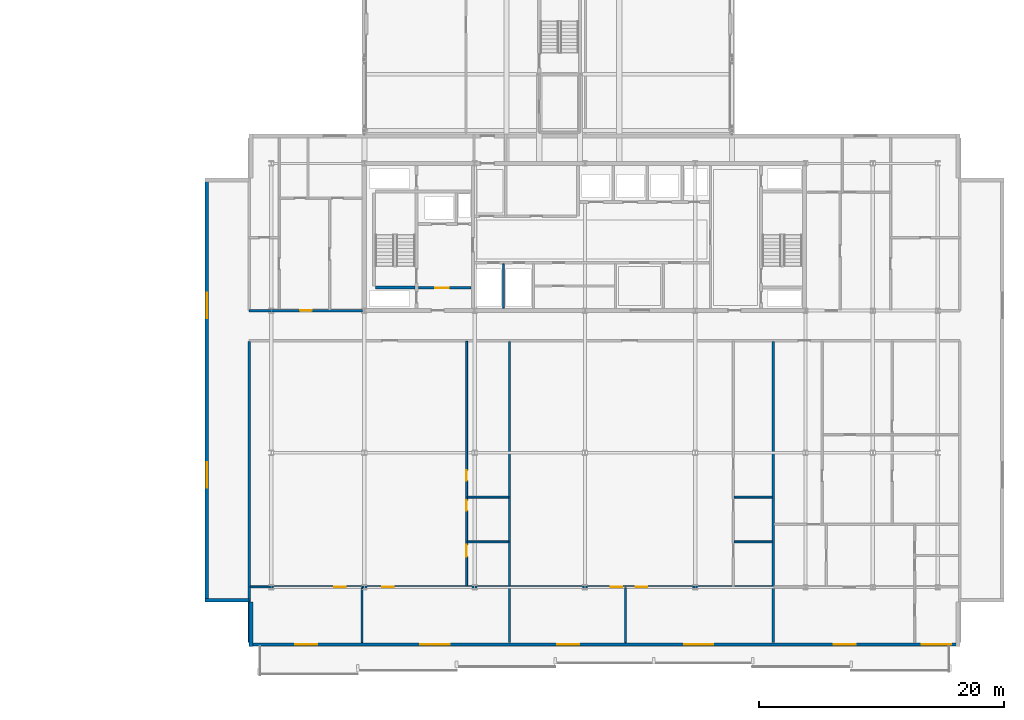
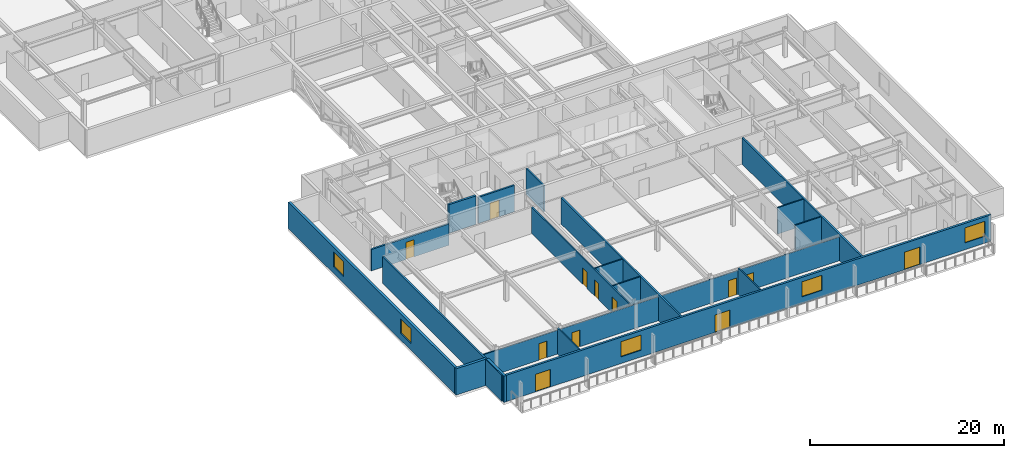
# One storey, part 17 of 35: 20 walls, 12 doors, 5 windows, 17 openings.
"""IFC4 building model written with IfcOpenShell, lengths in metres."""

import ifcopenshell
import ifcopenshell.guid

model = None  # the IFC model being written
_history = None  # IfcOwnerHistory: only IFC2X3 demands one
_inside = {}  # id of a spatial element -> (the spatial element, [elements in it])
_under = {}  # id of a project, library or spatial element -> (it, [spatial elements below it])
_declared = {}  # id of a project -> (the project, [libraries it declares])
_typed = {}  # id of a type object -> (the type object, [elements of that type])
_made_of = {}  # id of a material, layer set ... -> (it, [elements and type objects made of it])


def new_model(schema):
    """Start an empty IFC model of exactly this schema.

    Asked for "IFC4X3", IfcOpenShell would pick the latest addendum, in which some entities
    have other attributes; the version numbers below select the first issue.
    IFC2X3 requires an IfcOwnerHistory on every rooted entity: one is made here for all.
    """
    global model, _history
    if schema == "IFC4X3":
        model = ifcopenshell.file(schema_version=(4, 3, 0, 0))
    else:
        model = ifcopenshell.file(schema=schema)
    _inside.clear()
    _under.clear()
    _declared.clear()
    _typed.clear()
    _made_of.clear()
    _history = None
    if model.schema == "IFC2X3":
        org = make("IfcOrganization", Name="unknown")
        user = make(
            "IfcPersonAndOrganization",
            ThePerson=make("IfcPerson", FamilyName="unknown"),
            TheOrganization=org,
        )
        app = make(
            "IfcApplication",
            ApplicationDeveloper=org,
            Version="unknown",
            ApplicationFullName="unknown",
            ApplicationIdentifier="unknown",
        )
        _history = make(
            "IfcOwnerHistory",
            OwningUser=user,
            OwningApplication=app,
            ChangeAction="ADDED",
            CreationDate=0,
        )
    return model


def make(cls, **values):
    """One entity of the class cls with the attributes given. An attribute that is None is left unset."""
    return model.create_entity(
        cls, **{name: value for name, value in values.items() if value is not None}
    )


def rooted(cls, **values):
    """An entity with a GlobalId (a new one), such as an element, a storey or a relation."""
    return make(cls, GlobalId=ifcopenshell.guid.new(), OwnerHistory=_history, **values)


def si_unit(unit_type, name, prefix=None):
    """IfcSIUnit, for example si_unit("LENGTHUNIT", "METRE", prefix="MILLI")."""
    return make("IfcSIUnit", UnitType=unit_type, Prefix=prefix, Name=name)


def assignment(units):
    """IfcUnitAssignment: the units of a project."""
    return None if units is None else make("IfcUnitAssignment", Units=units)


def point(xyz):
    """IfcCartesianPoint."""
    return None if xyz is None else make("IfcCartesianPoint", Coordinates=xyz)


def direction(xyz):
    """IfcDirection."""
    return None if xyz is None else make("IfcDirection", DirectionRatios=xyz)


def frame(location, z_axis=None, x_axis=None):
    """IfcAxis2Placement3D, a coordinate frame: its origin and axes. An axis left out is left unset."""
    return make(
        "IfcAxis2Placement3D",
        Location=point(location),
        Axis=direction(z_axis),
        RefDirection=direction(x_axis),
    )


def frame_2d(location, x_axis=None):
    """IfcAxis2Placement2D, a coordinate frame in the plane: its origin and x axis."""
    return make(
        "IfcAxis2Placement2D", Location=point(location), RefDirection=direction(x_axis)
    )


def origin():
    """The frame at (0, 0, 0) with its axes left unset."""
    return frame((0.0, 0.0, 0.0))


def place(relative_to, where):
    """IfcLocalPlacement: puts the frame where relative to a parent placement (None: the world)."""
    return make(
        "IfcLocalPlacement", PlacementRelTo=relative_to, RelativePlacement=where
    )


def context(
    kind, dimensions, precision=None, world=None, true_north=None, identifier=None
):
    """IfcGeometricRepresentationContext, for example the 3D "Model" context."""
    return make(
        "IfcGeometricRepresentationContext",
        ContextIdentifier=identifier,
        ContextType=kind,
        CoordinateSpaceDimension=dimensions,
        Precision=precision,
        WorldCoordinateSystem=world,
        TrueNorth=true_north,
    )


def subcontext(parent, identifier, kind, view, scale=None):
    """IfcGeometricRepresentationSubContext, for example "Body" below "Model"."""
    return make(
        "IfcGeometricRepresentationSubContext",
        ContextIdentifier=identifier,
        ContextType=kind,
        ParentContext=parent,
        TargetScale=scale,
        TargetView=view,
    )


def project(units=None, contexts=None):
    """IfcProject with its units and contexts."""
    return rooted(
        "IfcProject",
        Name="project",
        RepresentationContexts=contexts,
        UnitsInContext=assignment(units),
    )


def spatial(cls, under=None, at=None, **own):
    """A site, building, storey or space (cls), placed at a placement, below another one or the project."""
    s = rooted(cls, ObjectPlacement=at, **own)
    if under is not None:
        _under.setdefault(under.id(), (under, []))[1].append(s)
    return s


def profile(cls, at=None, kind="AREA", **sizes):
    """A parametric profile (cls). Its sizes go by their IFC names, for example OverallWidth=200.0."""
    return make(cls, ProfileType=kind, Position=at, **sizes)


def rectangle(**sizes):
    """IfcRectangleProfileDef."""
    return profile("IfcRectangleProfileDef", **sizes)


def extrude(swept, where, along, depth):
    """IfcExtrudedAreaSolid: the profile swept, set in the frame where, extruded along a direction by depth."""
    return make(
        "IfcExtrudedAreaSolid",
        SweptArea=swept,
        Position=where,
        ExtrudedDirection=direction(along),
        Depth=depth,
    )


def shape(context_of_items, identifier, shape_type, items):
    """IfcShapeRepresentation: the items that make up one representation, for example the "Body"."""
    return make(
        "IfcShapeRepresentation",
        ContextOfItems=context_of_items,
        RepresentationIdentifier=identifier,
        RepresentationType=shape_type,
        Items=items,
    )


def material(Name=None, Category=None):
    """IfcMaterial."""
    return make("IfcMaterial", Name=Name, Category=Category)


def layer(
    of_material, thickness, ventilated=None, Name=None, Category=None, Priority=None
):
    """IfcMaterialLayer: one layer of a wall or slab, of a material (None: an air gap)."""
    return make(
        "IfcMaterialLayer",
        Material=of_material,
        LayerThickness=thickness,
        IsVentilated=ventilated,
        Name=Name,
        Category=Category,
        Priority=Priority,
    )


def layer_set(layers, Name=None):
    """IfcMaterialLayerSet."""
    return make("IfcMaterialLayerSet", MaterialLayers=layers, LayerSetName=Name)


def made_of(thing, what):
    """Note that an element or type object is made of a material, layer set ...; save() writes the relation."""
    if what is not None:
        _made_of.setdefault(what.id(), (what, []))[1].append(thing)
    return thing


def type_object(cls, material=None, **own):
    """A type object (cls), such as IfcWallType, which elements share."""
    return made_of(rooted(cls, **own), material)


def element(
    cls,
    number,
    at=None,
    inside=None,
    cuts=None,
    type_object=None,
    material=None,
    context=None,
    identifier="Body",
    shape_type=None,
    held_by="IfcProductDefinitionShape",
    body=None,
    shapes=None,
    **own,
):
    """One element of the class cls, such as IfcWall. Its Tag is "e" and its number.

    at: its placement. inside: the storey or other place that contains it. cuts: it is an
    opening in that element (IfcRelVoidsElement). A single representation is given by context,
    identifier, shape_type and body (its items); several are given by shapes. held_by: the class
    of the entity that holds the representations. save() writes the other relations.
    """
    e = rooted(cls, Tag="e%d" % number, ObjectPlacement=at, **own)
    if body is not None:
        shapes = [shape(context, identifier, shape_type, body)]
    if shapes is not None:
        e.Representation = make(held_by, Representations=shapes)
    if inside is not None:
        _inside.setdefault(inside.id(), (inside, []))[1].append(e)
    if cuts is not None:
        rooted(
            "IfcRelVoidsElement", RelatingBuildingElement=cuts, RelatedOpeningElement=e
        )
    if type_object is not None:
        _typed.setdefault(type_object.id(), (type_object, []))[1].append(e)
    return made_of(e, material)


def fill(opening, filler):
    """IfcRelFillsElement: the door or window that sits in an opening."""
    return rooted(
        "IfcRelFillsElement",
        RelatingOpeningElement=opening,
        RelatedBuildingElement=filler,
    )


def aggregate(whole, parts):
    """IfcRelAggregates: a whole, such as a stair, and the parts it consists of."""
    return rooted("IfcRelAggregates", RelatingObject=whole, RelatedObjects=parts)


def save(model, path):
    """Write the relations noted so far, then the file.

    IfcRelAggregates (storeys below a building ...), IfcRelContainedInSpatialStructure (elements
    in a storey), IfcRelDefinesByType, IfcRelAssociatesMaterial and IfcRelDeclares: one each for
    every whole, place, type object, material and project.
    """
    for whole, parts in _under.values():
        aggregate(whole, parts)
    for where, things in _inside.values():
        rooted(
            "IfcRelContainedInSpatialStructure",
            RelatedElements=things,
            RelatingStructure=where,
        )
    for kind, things in _typed.values():
        rooted("IfcRelDefinesByType", RelatedObjects=things, RelatingType=kind)
    for what, things in _made_of.values():
        rooted("IfcRelAssociatesMaterial", RelatedObjects=things, RelatingMaterial=what)
    for by, libraries in _declared.values():
        rooted("IfcRelDeclares", RelatingContext=by, RelatedDefinitions=libraries)
    model.write(path)


model = new_model("IFC4")

# Units and contexts
model_context = context("Model", 3, precision=1e-05, world=origin(), true_north=direction((0.0, 1.0)))
body_context = subcontext(model_context, "Body", "Model", "MODEL_VIEW")
ifc_project = project(units=[si_unit("LENGTHUNIT", "METRE"), si_unit("AREAUNIT", "SQUARE_METRE"), si_unit("VOLUMEUNIT", "CUBIC_METRE"), si_unit("PLANEANGLEUNIT", "RADIAN"), si_unit("MASSUNIT", "GRAM", prefix="KILO")], contexts=[model_context])

# Site, building, storey
site_placement = place(None, origin())
site = spatial("IfcSite", under=ifc_project, at=site_placement, CompositionType="ELEMENT")
building_placement = place(site_placement, origin())
building = spatial("IfcBuilding", under=site, at=building_placement, Name="Korimba Cascade Residences", CompositionType="ELEMENT")
storey_placement = place(building_placement, frame((0.0, 0.0, 150.10009765625)))
storey = spatial("IfcBuildingStorey", under=building, at=storey_placement, Name="L43", CompositionType="ELEMENT", Elevation=150.10009765625)

# Wall, openings, doors, windows
ifc_material_1 = material(Name="Precast concrete C40/50", Category="concrete")
ifc_layer_1 = layer(ifc_material_1, 0.25)
ifc_layer_set_1 = layer_set([ifc_layer_1], Name="Precast concrete C40/50")
wall_type_1 = type_object("IfcWallType", Name="EW-LOG-250", PredefinedType="STANDARD", material=ifc_layer_set_1)
wall_1_placement = place(storey_placement, frame((72.699951171875, -8.85009765625, 0.0), z_axis=(0.0, 0.0, 1.0), x_axis=(1.0, 0.0, 0.0)))
wall_1 = element("IfcWall", 1, at=wall_1_placement, inside=storey, type_object=wall_type_1, Name="L43 T2 Perimeter Stone Wall E00", PredefinedType="STANDARD", context=body_context, shape_type="SweptSolid", body=[
    extrude(rectangle(XDim=58.0, YDim=0.25, at=frame_2d((29.0, 0.0))), origin(), (0.0, 0.0, 1.0), 3.309814453125),
])
opening_1_placement = place(wall_1_placement, frame((3.76123046875, 0.0, 0.0)))
opening_1 = element("IfcOpeningElement", 2, at=opening_1_placement, cuts=wall_1, Name="Opening D-LG1", PredefinedType="OPENING", context=body_context, shape_type="SweptSolid", body=[
    extrude(rectangle(XDim=1.800048828125, YDim=2.199951171875, at=frame_2d((0.89990234375, 1.10009765625))), frame((0.0, 0.135009765625, 0.0), z_axis=(0.0, -1.0, 0.0), x_axis=(1.0, 0.0, 0.0)), (0.0, 0.0, 1.0), 0.27001953125),
])
opening_2_placement = place(wall_1_placement, frame((13.964111328125, 0.0, 0.85009765625)))
opening_2 = element("IfcOpeningElement", 3, at=opening_2_placement, cuts=wall_1, Name="Opening W-01", PredefinedType="OPENING", context=body_context, shape_type="SweptSolid", body=[
    extrude(rectangle(XDim=2.39990234375, YDim=1.89990234375, at=frame_2d((1.199951171875, 0.949951171875))), frame((0.0, 0.135009765625, 0.0), z_axis=(0.0, -1.0, 0.0), x_axis=(1.0, 0.0, 0.0)), (0.0, 0.0, 1.0), 0.27001953125),
])
opening_3_placement = place(wall_1_placement, frame((25.13818359375, 0.0, 0.0)))
opening_3 = element("IfcOpeningElement", 4, at=opening_3_placement, cuts=wall_1, Name="Opening D-LG1", PredefinedType="OPENING", context=body_context, shape_type="SweptSolid", body=[
    extrude(rectangle(XDim=1.800048828125, YDim=2.199951171875, at=frame_2d((0.89990234375, 1.10009765625))), frame((0.0, 0.135009765625, 0.0), z_axis=(0.0, -1.0, 0.0), x_axis=(1.0, 0.0, 0.0)), (0.0, 0.0, 1.0), 0.27001953125),
])
opening_4_placement = place(wall_1_placement, frame((35.488525390625, 0.0, 0.85009765625)))
opening_4 = element("IfcOpeningElement", 5, at=opening_4_placement, cuts=wall_1, Name="Opening W-01", PredefinedType="OPENING", context=body_context, shape_type="SweptSolid", body=[
    extrude(rectangle(XDim=2.39990234375, YDim=1.89990234375, at=frame_2d((1.199951171875, 0.949951171875))), frame((0.0, 0.135009765625, 0.0), z_axis=(0.0, -1.0, 0.0), x_axis=(1.0, 0.0, 0.0)), (0.0, 0.0, 1.0), 0.27001953125),
])
opening_5_placement = place(wall_1_placement, frame((47.713134765625, 0.0, 0.0)))
opening_5 = element("IfcOpeningElement", 6, at=opening_5_placement, cuts=wall_1, Name="Opening D-LG1", PredefinedType="OPENING", context=body_context, shape_type="SweptSolid", body=[
    extrude(rectangle(XDim=1.800048828125, YDim=2.199951171875, at=frame_2d((0.89990234375, 1.10009765625))), frame((0.0, 0.135009765625, 0.0), z_axis=(0.0, -1.0, 0.0), x_axis=(1.0, 0.0, 0.0)), (0.0, 0.0, 1.0), 0.27001953125),
])
opening_6_placement = place(wall_1_placement, frame((54.89990234375, 0.0, 0.85009765625)))
opening_6 = element("IfcOpeningElement", 7, at=opening_6_placement, cuts=wall_1, Name="Opening W-01", PredefinedType="OPENING", context=body_context, shape_type="SweptSolid", body=[
    extrude(rectangle(XDim=2.39990234375, YDim=1.89990234375, at=frame_2d((1.199951171875, 0.949951171875))), frame((0.0, 0.135009765625, 0.0), z_axis=(0.0, -1.0, 0.0), x_axis=(1.0, 0.0, 0.0)), (0.0, 0.0, 1.0), 0.27001953125),
])
ifc_material_2 = material(Name="Glazed Aluminium Loggia Sliding Door", Category="aluminium")
door_type_1 = type_object("IfcDoorType", Name="DR-EXT-LOG", OperationType="NOTDEFINED", PredefinedType="DOOR", material=ifc_material_2)
door_1_placement = place(opening_1_placement, origin())
door_1 = element("IfcDoor", 8, at=door_1_placement, inside=storey, type_object=door_type_1, Name="L43 T2 Loggia Sliding Door 3", OperationType="SLIDING_TO_RIGHT", OverallHeight=2.199951171875, OverallWidth=1.800048828125, PredefinedType="DOOR", context=body_context, shape_type="SweptSolid", body=[
    extrude(rectangle(XDim=1.800048828125, YDim=2.199951171875, at=frame_2d((0.89990234375, 1.10009765625))), frame((0.0, 0.02490234375, 0.0), z_axis=(0.0, -1.0, 0.0), x_axis=(1.0, 0.0, 0.0)), (0.0, 0.0, 1.0), 0.050048828125),
])
fill(opening_1, door_1)
door_2_placement = place(opening_3_placement, origin())
door_2 = element("IfcDoor", 9, at=door_2_placement, inside=storey, type_object=door_type_1, Name="L43 T2 Loggia Sliding Door 5", OperationType="SLIDING_TO_RIGHT", OverallHeight=2.199951171875, OverallWidth=1.800048828125, PredefinedType="DOOR", context=body_context, shape_type="SweptSolid", body=[
    extrude(rectangle(XDim=1.800048828125, YDim=2.199951171875, at=frame_2d((0.89990234375, 1.10009765625))), frame((0.0, 0.02490234375, 0.0), z_axis=(0.0, -1.0, 0.0), x_axis=(1.0, 0.0, 0.0)), (0.0, 0.0, 1.0), 0.050048828125),
])
fill(opening_3, door_2)
door_3_placement = place(opening_5_placement, origin())
door_3 = element("IfcDoor", 10, at=door_3_placement, inside=storey, type_object=door_type_1, Name="L43 T2 Loggia Sliding Door 7", OperationType="SLIDING_TO_RIGHT", OverallHeight=2.199951171875, OverallWidth=1.800048828125, PredefinedType="DOOR", context=body_context, shape_type="SweptSolid", body=[
    extrude(rectangle(XDim=1.800048828125, YDim=2.199951171875, at=frame_2d((0.89990234375, 1.10009765625))), frame((0.0, 0.02490234375, 0.0), z_axis=(0.0, -1.0, 0.0), x_axis=(1.0, 0.0, 0.0)), (0.0, 0.0, 1.0), 0.050048828125),
])
fill(opening_5, door_3)
ifc_material_3 = material(Name="Double-Glazed Aluminium Window", Category="aluminium")
window_type_1 = type_object("IfcWindowType", Name="WIN-RES-2400", PartitioningType="DOUBLE_PANEL_VERTICAL", PredefinedType="WINDOW", material=ifc_material_3)
window_1_placement = place(opening_2_placement, origin())
window_1 = element("IfcWindow", 11, at=window_1_placement, inside=storey, type_object=window_type_1, Name="L43 T2 South Facade Window 4", OverallHeight=1.89990234375, OverallWidth=2.39990234375, PartitioningType="DOUBLE_PANEL_VERTICAL", PredefinedType="WINDOW", context=body_context, shape_type="SweptSolid", body=[
    extrude(rectangle(XDim=2.39990234375, YDim=1.89990234375, at=frame_2d((1.199951171875, 0.949951171875))), frame((0.0, 0.030029296875, 0.0), z_axis=(0.0, -1.0, 0.0), x_axis=(1.0, 0.0, 0.0)), (0.0, 0.0, 1.0), 0.06005859375),
])
fill(opening_2, window_1)
window_2_placement = place(opening_4_placement, origin())
window_2 = element("IfcWindow", 12, at=window_2_placement, inside=storey, type_object=window_type_1, Name="L43 T2 South Facade Window 6", OverallHeight=1.89990234375, OverallWidth=2.39990234375, PartitioningType="DOUBLE_PANEL_VERTICAL", PredefinedType="WINDOW", context=body_context, shape_type="SweptSolid", body=[
    extrude(rectangle(XDim=2.39990234375, YDim=1.89990234375, at=frame_2d((1.199951171875, 0.949951171875))), frame((0.0, 0.030029296875, 0.0), z_axis=(0.0, -1.0, 0.0), x_axis=(1.0, 0.0, 0.0)), (0.0, 0.0, 1.0), 0.06005859375),
])
fill(opening_4, window_2)
window_3_placement = place(opening_6_placement, origin())
window_3 = element("IfcWindow", 13, at=window_3_placement, inside=storey, type_object=window_type_1, Name="L43 T2 South Facade Window 8", OverallHeight=1.89990234375, OverallWidth=2.39990234375, PartitioningType="DOUBLE_PANEL_VERTICAL", PredefinedType="WINDOW", context=body_context, shape_type="SweptSolid", body=[
    extrude(rectangle(XDim=2.39990234375, YDim=1.89990234375, at=frame_2d((1.199951171875, 0.949951171875))), frame((0.0, 0.030029296875, 0.0), z_axis=(0.0, -1.0, 0.0), x_axis=(1.0, 0.0, 0.0)), (0.0, 0.0, 1.0), 0.06005859375),
])
fill(opening_6, window_3)

# Wall, openings, windows
ifc_layer_2 = layer(ifc_material_1, 0.300048828125)
ifc_layer_set_2 = layer_set([ifc_layer_2], Name="Precast concrete C40/50")
wall_type_2 = type_object("IfcWallType", Name="EW-STONE-300", PredefinedType="STANDARD", material=ifc_layer_set_2)
wall_2_placement = place(storey_placement, frame((69.25, 29.199951171875, 0.0), z_axis=(0.0, 0.0, 1.0), x_axis=(0.0, -1.0, 0.0)))
wall_2 = element("IfcWall", 14, at=wall_2_placement, inside=storey, type_object=wall_type_2, Name="L43 T2 Perimeter Stone Wall E09", PredefinedType="STANDARD", context=body_context, shape_type="SweptSolid", body=[
    extrude(rectangle(XDim=34.599853515625, YDim=0.300048828125, at=frame_2d((17.2998046875, 0.0))), origin(), (0.0, 0.0, 1.0), 3.309814453125),
])
opening_7_placement = place(wall_2_placement, frame((9.330078125, 0.0, 0.85009765625)))
opening_7 = element("IfcOpeningElement", 15, at=opening_7_placement, cuts=wall_2, Name="Opening W-03", PredefinedType="OPENING", context=body_context, shape_type="SweptSolid", body=[
    extrude(rectangle(XDim=2.10009765625, YDim=1.85009765625, at=frame_2d((1.050048828125, 0.925048828125))), frame((0.0, 0.16015625, 0.0), z_axis=(0.0, -1.0, 0.0), x_axis=(1.0, 0.0, 0.0)), (0.0, 0.0, 1.0), 0.320068359375),
])
opening_8_placement = place(wall_2_placement, frame((23.169921875, 0.0, 0.85009765625)))
opening_8 = element("IfcOpeningElement", 16, at=opening_8_placement, cuts=wall_2, Name="Opening W-03", PredefinedType="OPENING", context=body_context, shape_type="SweptSolid", body=[
    extrude(rectangle(XDim=2.10009765625, YDim=1.85009765625, at=frame_2d((1.050048828125, 0.925048828125))), frame((0.0, 0.16015625, 0.0), z_axis=(0.0, -1.0, 0.0), x_axis=(1.0, 0.0, 0.0)), (0.0, 0.0, 1.0), 0.320068359375),
])
window_type_2 = type_object("IfcWindowType", Name="WIN-CRN-2100", PartitioningType="DOUBLE_PANEL_HORIZONTAL", PredefinedType="WINDOW", material=ifc_material_3)
window_4_placement = place(opening_7_placement, origin())
window_4 = element("IfcWindow", 17, at=window_4_placement, inside=storey, type_object=window_type_2, Name="L43 T2 End View Window 9.1", OverallHeight=1.85009765625, OverallWidth=2.10009765625, PartitioningType="DOUBLE_PANEL_HORIZONTAL", PredefinedType="WINDOW", context=body_context, shape_type="SweptSolid", body=[
    extrude(rectangle(XDim=2.10009765625, YDim=1.85009765625, at=frame_2d((1.050048828125, 0.925048828125))), frame((0.0, 0.030029296875, 0.0), z_axis=(0.0, -1.0, 0.0), x_axis=(1.0, 0.0, 0.0)), (0.0, 0.0, 1.0), 0.06005859375),
])
fill(opening_7, window_4)
window_5_placement = place(opening_8_placement, origin())
window_5 = element("IfcWindow", 18, at=window_5_placement, inside=storey, type_object=window_type_2, Name="L43 T2 End View Window 9.2", OverallHeight=1.85009765625, OverallWidth=2.10009765625, PartitioningType="DOUBLE_PANEL_HORIZONTAL", PredefinedType="WINDOW", context=body_context, shape_type="SweptSolid", body=[
    extrude(rectangle(XDim=2.10009765625, YDim=1.85009765625, at=frame_2d((1.050048828125, 0.925048828125))), frame((0.0, 0.030029296875, 0.0), z_axis=(0.0, -1.0, 0.0), x_axis=(1.0, 0.0, 0.0)), (0.0, 0.0, 1.0), 0.06005859375),
])
fill(opening_8, window_5)

# Walls
wall_3_placement = place(storey_placement, frame((69.10009765625, -5.25, 0.0), z_axis=(0.0, 0.0, 1.0), x_axis=(1.0, 0.0, 0.0)))
element("IfcWall", 19, at=wall_3_placement, inside=storey, type_object=wall_type_2, Name="L43 T2 Perimeter Stone Wall E10", PredefinedType="STANDARD", context=body_context, shape_type="SweptSolid", body=[
    extrude(rectangle(XDim=3.599853515625, YDim=0.300048828125, at=frame_2d((1.7998046875, 0.0))), origin(), (0.0, 0.0, 1.0), 3.309814453125),
])
wall_4_placement = place(storey_placement, frame((72.85009765625, -5.39990234375, 0.0), z_axis=(0.0, 0.0, 1.0), x_axis=(0.0, -1.0, 0.0)))
element("IfcWall", 20, at=wall_4_placement, inside=storey, type_object=wall_type_2, Name="L43 T2 Perimeter Stone Wall E11", PredefinedType="STANDARD", context=body_context, shape_type="SweptSolid", body=[
    extrude(rectangle(XDim=3.60009765625, YDim=0.300048828125, at=frame_2d((1.800048828125, 0.0))), origin(), (0.0, 0.0, 1.0), 3.309814453125),
])

# Wall, opening, door
ifc_layer_3 = layer(ifc_material_1, 0.199951171875)
ifc_layer_set_3 = layer_set([ifc_layer_3], Name="Precast concrete C40/50")
wall_type_3 = type_object("IfcWallType", Name="WAL-IT-200", PredefinedType="PARTITIONING", material=ifc_layer_set_3)
wall_5_placement = place(storey_placement, frame((72.699951171875, 18.39990234375, 0.0), z_axis=(0.0, 0.0, 1.0), x_axis=(1.0, 0.0, 0.0)))
wall_5 = element("IfcWall", 21, at=wall_5_placement, inside=storey, type_object=wall_type_3, Name="L43 Partition Wall WAL-L43-T2-FW-S", PredefinedType="PARTITIONING", context=body_context, shape_type="SweptSolid", body=[
    extrude(rectangle(XDim=9.25, YDim=0.199951171875, at=frame_2d((4.625, 0.0))), origin(), (0.0, 0.0, 1.0), 2.69775390625),
])
opening_9_placement = place(wall_5_placement, frame((4.14990234375, 0.0, 0.0)))
opening_9 = element("IfcOpeningElement", 22, at=opening_9_placement, cuts=wall_5, Name="Opening D-UN1", PredefinedType="OPENING", context=body_context, shape_type="SweptSolid", body=[
    extrude(rectangle(XDim=0.949951171875, YDim=2.14990234375, at=frame_2d((0.47509765625, 1.074951171875))), frame((0.0, 0.10986328125, 0.0), z_axis=(0.0, -1.0, 0.0), x_axis=(1.0, 0.0, 0.0)), (0.0, 0.0, 1.0), 0.219970703125),
])
ifc_material_4 = material(Name="Fire-Rated Hardwood Apartment Entrance Door", Category="wood")
door_type_2 = type_object("IfcDoorType", Name="DR-FD60-950", OperationType="NOTDEFINED", PredefinedType="DOOR", material=ifc_material_4)
door_4_placement = place(opening_9_placement, origin())
door_4 = element("IfcDoor", 23, at=door_4_placement, inside=storey, type_object=door_type_2, Name="L43-T2-FW Entrance Door", OperationType="SINGLE_SWING_LEFT", OverallHeight=2.14990234375, OverallWidth=0.949951171875, PredefinedType="DOOR", context=body_context, shape_type="SweptSolid", body=[
    extrude(rectangle(XDim=0.949951171875, YDim=2.14990234375, at=frame_2d((0.47509765625, 1.074951171875))), frame((0.0, 0.02490234375, 0.0), z_axis=(0.0, -1.0, 0.0), x_axis=(1.0, 0.0, 0.0)), (0.0, 0.0, 1.0), 0.050048828125),
])
fill(opening_9, door_4)

# Walls
for number, where, z_axis, x_axis, name in (
    (24, (72.699951171875, -8.699951171875, 0.0), (0.0, 0.0, 1.0), (0.0, 1.0, 0.0), "L43 Partition Wall WAL-L43-T2-BNDWL"),
    (25, (93.945556640625, -8.699951171875, 0.0), (0.0, 0.0, 1.0), (0.0, 1.0, 0.0), "L43 Partition Wall WAL-L43-T2-DEM-1"),
    (26, (115.486328125, -8.699951171875, 0.0), (0.0, 0.0, 1.0), (0.0, 1.0, 0.0), "L43 Partition Wall WAL-L43-T2-DEM-2"),
):
    element("IfcWall", number, at=place(storey_placement, frame(where, z_axis=z_axis, x_axis=x_axis)), inside=storey, type_object=wall_type_3, Name=name, PredefinedType="PARTITIONING", context=body_context, shape_type="SweptSolid", body=[
        extrude(rectangle(XDim=24.570068359375, YDim=0.199951171875, at=frame_2d((12.28515625, 0.0))), origin(), (0.0, 0.0, 1.0), 3.309814453125),
    ])
ifc_material_5 = material(Name="Insulated Acoustic Stud Partition", Category="gypsum")
ifc_layer_4 = layer(ifc_material_5, 0.14990234375)
ifc_layer_set_4 = layer_set([ifc_layer_4], Name="Insulated Acoustic Stud Partition")
wall_type_4 = type_object("IfcWallType", Name="WAL-PART-150", PredefinedType="PARTITIONING", material=ifc_layer_set_4)
wall_6_placement = place(storey_placement, frame((93.449951171875, 18.60009765625, 0.0), z_axis=(0.0, 0.0, 1.0), x_axis=(0.0, 1.0, 0.0)))
element("IfcWall", 27, at=wall_6_placement, inside=storey, type_object=wall_type_4, Name="L43 Partition Wall CW-L43-T2-ERDIV", PredefinedType="PARTITIONING", context=body_context, shape_type="SweptSolid", body=[
    extrude(rectangle(XDim=3.599853515625, YDim=0.14990234375, at=frame_2d((1.7998046875, 0.0))), origin(), (0.0, 0.0, 1.0), 3.309814453125),
])
for number, where, z_axis, x_axis, name in (
    (28, (90.505615234375, -0.47998046875, 0.0), (0.0, 0.0, 1.0), (1.0, 0.0, 0.0), "L43 Partition Wall WAL-L43-T2-U01-WCH"),
    (29, (90.505615234375, 3.169921875, 0.0), (0.0, 0.0, 1.0), (1.0, 0.0, 0.0), "L43 Partition Wall WAL-L43-T2-U01-WCH2"),
):
    element("IfcWall", number, at=place(storey_placement, frame(where, z_axis=z_axis, x_axis=x_axis)), inside=storey, type_object=wall_type_4, Name=name, PredefinedType="PARTITIONING", context=body_context, shape_type="SweptSolid", body=[
        extrude(rectangle(XDim=3.35986328125, YDim=0.14990234375, at=frame_2d((1.679931640625, 0.0))), origin(), (0.0, 0.0, 1.0), 3.309814453125),
    ])

# Wall, openings, doors
wall_7_placement = place(storey_placement, frame((90.445556640625, -4.090087890625, 0.0), z_axis=(0.0, 0.0, 1.0), x_axis=(0.0, 1.0, 0.0)))
wall_7 = element("IfcWall", 30, at=wall_7_placement, inside=storey, type_object=wall_type_4, Name="L43 Partition Wall WAL-L43-T2-U01-WCV", PredefinedType="PARTITIONING", context=body_context, shape_type="SweptSolid", body=[
    extrude(rectangle(XDim=19.97998046875, YDim=0.14990234375, at=frame_2d((9.989990234375, 0.0))), origin(), (0.0, 0.0, 1.0), 3.309814453125),
])
opening_10_placement = place(wall_7_placement, frame((2.406005859375, 0.0, 0.0)))
opening_10 = element("IfcOpeningElement", 31, at=opening_10_placement, cuts=wall_7, Name="Opening D-AC1", PredefinedType="OPENING", context=body_context, shape_type="SweptSolid", body=[
    extrude(rectangle(XDim=0.9599609375, YDim=2.10009765625, at=frame_2d((0.47998046875, 1.050048828125))), frame((0.0, 0.0849609375, 0.0), z_axis=(0.0, -1.0, 0.0), x_axis=(1.0, 0.0, 0.0)), (0.0, 0.0, 1.0), 0.169921875),
])
opening_11_placement = place(wall_7_placement, frame((6.132568359375, 0.0, 0.0)))
opening_11 = element("IfcOpeningElement", 32, at=opening_11_placement, cuts=wall_7, Name="Opening D-IN2", PredefinedType="OPENING", context=body_context, shape_type="SweptSolid", body=[
    extrude(rectangle(XDim=0.8798828125, YDim=2.06005859375, at=frame_2d((0.43994140625, 1.030029296875))), frame((0.0, 0.0849609375, 0.0), z_axis=(0.0, -1.0, 0.0), x_axis=(1.0, 0.0, 0.0)), (0.0, 0.0, 1.0), 0.169921875),
])
opening_12_placement = place(wall_7_placement, frame((8.60205078125, 0.0, 0.0)))
opening_12 = element("IfcOpeningElement", 33, at=opening_12_placement, cuts=wall_7, Name="Opening D-BT1", PredefinedType="OPENING", context=body_context, shape_type="SweptSolid", body=[
    extrude(rectangle(XDim=0.840087890625, YDim=2.0400390625, at=frame_2d((0.419921875, 1.02001953125))), frame((0.0, 0.0849609375, 0.0), z_axis=(0.0, -1.0, 0.0), x_axis=(1.0, 0.0, 0.0)), (0.0, 0.0, 1.0), 0.169921875),
])
ifc_material_6 = material(Name="Accessible Acoustic Timber WC Door", Category="wood")
door_type_3 = type_object("IfcDoorType", Name="DR-ACC-950", OperationType="NOTDEFINED", PredefinedType="DOOR", material=ifc_material_6)
door_5_placement = place(opening_10_placement, origin())
door_5 = element("IfcDoor", 34, at=door_5_placement, inside=storey, type_object=door_type_3, Name="L43-T2-U01 Accessible WC Door", OperationType="SINGLE_SWING_RIGHT", OverallHeight=2.10009765625, OverallWidth=0.9599609375, PredefinedType="DOOR", context=body_context, shape_type="SweptSolid", body=[
    extrude(rectangle(XDim=0.9599609375, YDim=2.10009765625, at=frame_2d((0.47998046875, 1.050048828125))), frame((0.0, 0.02490234375, 0.0), z_axis=(0.0, -1.0, 0.0), x_axis=(1.0, 0.0, 0.0)), (0.0, 0.0, 1.0), 0.050048828125),
])
fill(opening_10, door_5)
ifc_material_7 = material(Name="Moisture-Resistant Bathroom Timber Door", Category="wood")
door_type_4 = type_object("IfcDoorType", Name="DR-INT-850", OperationType="NOTDEFINED", PredefinedType="DOOR", material=ifc_material_7)
door_6_placement = place(opening_12_placement, origin())
door_6 = element("IfcDoor", 35, at=door_6_placement, inside=storey, type_object=door_type_4, Name="L43-T2-U01 Suite Store Door", OperationType="SINGLE_SWING_RIGHT", OverallHeight=2.0400390625, OverallWidth=0.840087890625, PredefinedType="DOOR", context=body_context, shape_type="SweptSolid", body=[
    extrude(rectangle(XDim=0.840087890625, YDim=2.0400390625, at=frame_2d((0.419921875, 1.02001953125))), frame((0.0, 0.02490234375, 0.0), z_axis=(0.0, -1.0, 0.0), x_axis=(1.0, 0.0, 0.0)), (0.0, 0.0, 1.0), 0.050048828125),
])
fill(opening_12, door_6)
ifc_material_8 = material(Name="Acoustic Timber Bedroom Door", Category="wood")
door_type_5 = type_object("IfcDoorType", Name="DR-INT-880", OperationType="NOTDEFINED", PredefinedType="DOOR", material=ifc_material_8)
door_7_placement = place(opening_11_placement, origin())
door_7 = element("IfcDoor", 36, at=door_7_placement, inside=storey, type_object=door_type_5, Name="L43-T2-U01 Restroom WC Door", OperationType="SINGLE_SWING_LEFT", OverallHeight=2.06005859375, OverallWidth=0.8798828125, PredefinedType="DOOR", context=body_context, shape_type="SweptSolid", body=[
    extrude(rectangle(XDim=0.8798828125, YDim=2.06005859375, at=frame_2d((0.43994140625, 1.030029296875))), frame((0.0, 0.02490234375, 0.0), z_axis=(0.0, -1.0, 0.0), x_axis=(1.0, 0.0, 0.0)), (0.0, 0.0, 1.0), 0.050048828125),
])
fill(opening_11, door_7)

# Wall
wall_8_placement = place(storey_placement, frame((81.902587890625, -8.699951171875, 0.0), z_axis=(0.0, 0.0, 1.0), x_axis=(0.0, 1.0, 0.0)))
element("IfcWall", 37, at=wall_8_placement, inside=storey, type_object=wall_type_4, Name="L43 Partition Wall WAL-L43-T2-U01-OUTV", PredefinedType="PARTITIONING", context=body_context, shape_type="SweptSolid", body=[
    extrude(rectangle(XDim=4.469970703125, YDim=0.14990234375, at=frame_2d((2.23486328125, 0.0))), origin(), (0.0, 0.0, 1.0), 3.309814453125),
])

# Wall, openings, doors
wall_9_placement = place(storey_placement, frame((72.780029296875, -4.14990234375, 0.0), z_axis=(0.0, 0.0, 1.0), x_axis=(1.0, 0.0, 0.0)))
wall_9 = element("IfcWall", 38, at=wall_9_placement, inside=storey, type_object=wall_type_4, Name="L43 Partition Wall WAL-L43-T2-U01-HZ", PredefinedType="PARTITIONING", context=body_context, shape_type="SweptSolid", body=[
    extrude(rectangle(XDim=21.08544921875, YDim=0.14990234375, at=frame_2d((10.542724609375, 0.0))), origin(), (0.0, 0.0, 1.0), 3.00341796875),
])
opening_13_placement = place(wall_9_placement, frame((6.874267578125, 0.0, 0.0)))
opening_13 = element("IfcOpeningElement", 39, at=opening_13_placement, cuts=wall_9, Name="Opening D-ST1", PredefinedType="OPENING", context=body_context, shape_type="SweptSolid", body=[
    extrude(rectangle(XDim=0.919921875, YDim=2.080078125, at=frame_2d((0.4599609375, 1.0400390625))), frame((0.0, 0.0849609375, 0.0), z_axis=(0.0, -1.0, 0.0), x_axis=(1.0, 0.0, 0.0)), (0.0, 0.0, 1.0), 0.169921875),
])
opening_14_placement = place(wall_9_placement, frame((10.79736328125, 0.0, 0.0)))
opening_14 = element("IfcOpeningElement", 40, at=opening_14_placement, cuts=wall_9, Name="Opening D-ST1", PredefinedType="OPENING", context=body_context, shape_type="SweptSolid", body=[
    extrude(rectangle(XDim=0.919921875, YDim=2.080078125, at=frame_2d((0.4599609375, 1.0400390625))), frame((0.0, 0.0849609375, 0.0), z_axis=(0.0, -1.0, 0.0), x_axis=(1.0, 0.0, 0.0)), (0.0, 0.0, 1.0), 0.169921875),
])
ifc_material_9 = material(Name="Fire-Rated Core Store Door", Category="wood")
door_type_6 = type_object("IfcDoorType", Name="DR-FD60-920", OperationType="NOTDEFINED", PredefinedType="DOOR", material=ifc_material_9)
door_8_placement = place(opening_13_placement, origin())
door_8 = element("IfcDoor", 41, at=door_8_placement, inside=storey, type_object=door_type_6, Name="L43-T2-U01 Sky Lobby Concierge Door", OperationType="SINGLE_SWING_LEFT", OverallHeight=2.080078125, OverallWidth=0.919921875, PredefinedType="DOOR", context=body_context, shape_type="SweptSolid", body=[
    extrude(rectangle(XDim=0.919921875, YDim=2.080078125, at=frame_2d((0.4599609375, 1.0400390625))), frame((0.0, 0.02490234375, 0.0), z_axis=(0.0, -1.0, 0.0), x_axis=(1.0, 0.0, 0.0)), (0.0, 0.0, 1.0), 0.050048828125),
])
fill(opening_13, door_8)
door_9_placement = place(opening_14_placement, origin())
door_9 = element("IfcDoor", 42, at=door_9_placement, inside=storey, type_object=door_type_6, Name="L43-T2-U01 Horizon Observation Atrium Door", OperationType="SINGLE_SWING_RIGHT", OverallHeight=2.080078125, OverallWidth=0.919921875, PredefinedType="DOOR", context=body_context, shape_type="SweptSolid", body=[
    extrude(rectangle(XDim=0.919921875, YDim=2.080078125, at=frame_2d((0.4599609375, 1.0400390625))), frame((0.0, 0.02490234375, 0.0), z_axis=(0.0, -1.0, 0.0), x_axis=(1.0, 0.0, 0.0)), (0.0, 0.0, 1.0), 0.050048828125),
])
fill(opening_14, door_9)

# Walls
for number, where, z_axis, x_axis, name in (
    (43, (112.2763671875, -0.47998046875, 0.0), (0.0, 0.0, 1.0), (1.0, 0.0, 0.0), "L43 Partition Wall WAL-L43-T2-U02-WCH"),
    (44, (112.2763671875, 3.169921875, 0.0), (0.0, 0.0, 1.0), (1.0, 0.0, 0.0), "L43 Partition Wall WAL-L43-T2-U02-WCH2"),
):
    element("IfcWall", number, at=place(storey_placement, frame(where, z_axis=z_axis, x_axis=x_axis)), inside=storey, type_object=wall_type_4, Name=name, PredefinedType="PARTITIONING", context=body_context, shape_type="SweptSolid", body=[
        extrude(rectangle(XDim=3.130126953125, YDim=0.14990234375, at=frame_2d((1.56494140625, 0.0))), origin(), (0.0, 0.0, 1.0), 3.309814453125),
    ])
wall_10_placement = place(storey_placement, frame((103.410888671875, -8.699951171875, 0.0), z_axis=(0.0, 0.0, 1.0), x_axis=(0.0, 1.0, 0.0)))
element("IfcWall", 45, at=wall_10_placement, inside=storey, type_object=wall_type_4, Name="L43 Partition Wall WAL-L43-T2-U02-OUTV", PredefinedType="PARTITIONING", context=body_context, shape_type="SweptSolid", body=[
    extrude(rectangle(XDim=4.469970703125, YDim=0.14990234375, at=frame_2d((2.23486328125, 0.0))), origin(), (0.0, 0.0, 1.0), 3.309814453125),
])

# Wall, openings, doors
wall_11_placement = place(storey_placement, frame((94.025390625, -4.14990234375, 0.0), z_axis=(0.0, 0.0, 1.0), x_axis=(1.0, 0.0, 0.0)))
wall_11 = element("IfcWall", 46, at=wall_11_placement, inside=storey, type_object=wall_type_4, Name="L43 Partition Wall WAL-L43-T2-U02-HZ", PredefinedType="PARTITIONING", context=body_context, shape_type="SweptSolid", body=[
    extrude(rectangle(XDim=21.381103515625, YDim=0.14990234375, at=frame_2d((10.6904296875, 0.0))), origin(), (0.0, 0.0, 1.0), 3.00341796875),
])
opening_15_placement = place(wall_11_placement, frame((8.1953125, 0.0, 0.0)))
opening_15 = element("IfcOpeningElement", 47, at=opening_15_placement, cuts=wall_11, Name="Opening D-IN0", PredefinedType="OPENING", context=body_context, shape_type="SweptSolid", body=[
    extrude(rectangle(XDim=0.93994140625, YDim=2.10009765625, at=frame_2d((0.469970703125, 1.050048828125))), frame((0.0, 0.0849609375, 0.0), z_axis=(0.0, -1.0, 0.0), x_axis=(1.0, 0.0, 0.0)), (0.0, 0.0, 1.0), 0.169921875),
])
opening_16_placement = place(wall_11_placement, frame((10.220458984375, 0.0, 0.0)))
opening_16 = element("IfcOpeningElement", 48, at=opening_16_placement, cuts=wall_11, Name="Opening D-IN0", PredefinedType="OPENING", context=body_context, shape_type="SweptSolid", body=[
    extrude(rectangle(XDim=0.93994140625, YDim=2.10009765625, at=frame_2d((0.469970703125, 1.050048828125))), frame((0.0, 0.0849609375, 0.0), z_axis=(0.0, -1.0, 0.0), x_axis=(1.0, 0.0, 0.0)), (0.0, 0.0, 1.0), 0.169921875),
])
ifc_material_10 = material(Name="Acoustic Timber Living Archway Door", Category="wood")
door_type_7 = type_object("IfcDoorType", Name="DR-INT-950", OperationType="NOTDEFINED", PredefinedType="DOOR", material=ifc_material_10)
door_10_placement = place(opening_15_placement, origin())
door_10 = element("IfcDoor", 49, at=door_10_placement, inside=storey, type_object=door_type_7, Name="L43-T2-U02 Fitness Pilates Gym Door", OperationType="SINGLE_SWING_RIGHT", OverallHeight=2.10009765625, OverallWidth=0.93994140625, PredefinedType="DOOR", context=body_context, shape_type="SweptSolid", body=[
    extrude(rectangle(XDim=0.93994140625, YDim=2.10009765625, at=frame_2d((0.469970703125, 1.050048828125))), frame((0.0, 0.02490234375, 0.0), z_axis=(0.0, -1.0, 0.0), x_axis=(1.0, 0.0, 0.0)), (0.0, 0.0, 1.0), 0.050048828125),
])
fill(opening_15, door_10)
door_11_placement = place(opening_16_placement, origin())
door_11 = element("IfcDoor", 50, at=door_11_placement, inside=storey, type_object=door_type_7, Name="L43-T2-U02 Private Screening Cinema Door", OperationType="SINGLE_SWING_LEFT", OverallHeight=2.10009765625, OverallWidth=0.93994140625, PredefinedType="DOOR", context=body_context, shape_type="SweptSolid", body=[
    extrude(rectangle(XDim=0.93994140625, YDim=2.10009765625, at=frame_2d((0.469970703125, 1.050048828125))), frame((0.0, 0.02490234375, 0.0), z_axis=(0.0, -1.0, 0.0), x_axis=(1.0, 0.0, 0.0)), (0.0, 0.0, 1.0), 0.050048828125),
])
fill(opening_16, door_11)

# Wall, opening, door
ifc_material_11 = material(Name="Concrete C40/50", Category="concrete")
ifc_layer_5 = layer(ifc_material_11, 0.199951171875)
ifc_layer_set_5 = layer_set([ifc_layer_5], Name="Concrete C40/50")
wall_type_5 = type_object("IfcWallType", Name="WAL-PART-200", PredefinedType="PARTITIONING", material=ifc_layer_set_5)
wall_12_placement = place(storey_placement, frame((86.5, 20.25, 0.0), z_axis=(0.0, 0.0, 1.0), x_axis=(1.0, 0.0, 0.0)))
wall_12 = element("IfcWall", 51, at=wall_12_placement, inside=storey, type_object=wall_type_5, Name="L43 Partition Wall CW-L43-T2-FFLS", PredefinedType="PARTITIONING", context=body_context, shape_type="SweptSolid", body=[
    extrude(rectangle(XDim=4.320068359375, YDim=0.199951171875, at=frame_2d((2.16015625, 0.0))), origin(), (0.0, 0.0, 1.0), 3.309814453125),
])
opening_17_placement = place(wall_12_placement, frame((1.39990234375, 0.0, 0.0)))
opening_17 = element("IfcOpeningElement", 52, at=opening_17_placement, cuts=wall_12, Name="Opening D-FD1", PredefinedType="OPENING", context=body_context, shape_type="SweptSolid", body=[
    extrude(rectangle(XDim=1.10009765625, YDim=2.10009765625, at=frame_2d((0.550048828125, 1.050048828125))), frame((0.0, 0.10986328125, 0.0), z_axis=(0.0, -1.0, 0.0), x_axis=(1.0, 0.0, 0.0)), (0.0, 0.0, 1.0), 0.219970703125),
])
ifc_material_12 = material(Name="Fire-Rated Steel Core Door", Category="steel")
door_type_8 = type_object("IfcDoorType", Name="DR-FD120-1100", OperationType="NOTDEFINED", PredefinedType="DOOR", material=ifc_material_12)
door_12_placement = place(opening_17_placement, origin())
door_12 = element("IfcDoor", 53, at=door_12_placement, inside=storey, type_object=door_type_8, Name="L43 T2 Firefighting Lobby Door", OperationType="SINGLE_SWING_RIGHT", OverallHeight=2.10009765625, OverallWidth=1.10009765625, PredefinedType="DOOR", context=body_context, shape_type="SweptSolid", body=[
    extrude(rectangle(XDim=1.10009765625, YDim=2.10009765625, at=frame_2d((0.550048828125, 1.050048828125))), frame((0.0, 0.02490234375, 0.0), z_axis=(0.0, -1.0, 0.0), x_axis=(1.0, 0.0, 0.0)), (0.0, 0.0, 1.0), 0.050048828125),
])
fill(opening_17, door_12)

# Wall
ifc_material_13 = material(Name="Concrete C50/60", Category="concrete")
ifc_layer_6 = layer(ifc_material_13, 0.25)
ifc_layer_set_6 = layer_set([ifc_layer_6], Name="Concrete C50/60")
wall_type_6 = type_object("IfcWallType", Name="WAL-SHAFT-250", PredefinedType="SHEAR", material=ifc_layer_set_6)
wall_13_placement = place(storey_placement, frame((83.0, 20.27490234375, 0.0), z_axis=(0.0, 0.0, 1.0), x_axis=(1.0, 0.0, 0.0)))
element("IfcWall", 54, at=wall_13_placement, inside=storey, type_object=wall_type_6, Name="L43 Core Shear Wall CW-L43-T2-STE1S", PredefinedType="SHEAR", context=body_context, shape_type="SweptSolid", body=[
    extrude(rectangle(XDim=3.239990234375, YDim=0.25, at=frame_2d((1.6201171875, 0.0))), origin(), (0.0, 0.0, 1.0), 3.599853515625),
])

save(model, "model.ifc")
